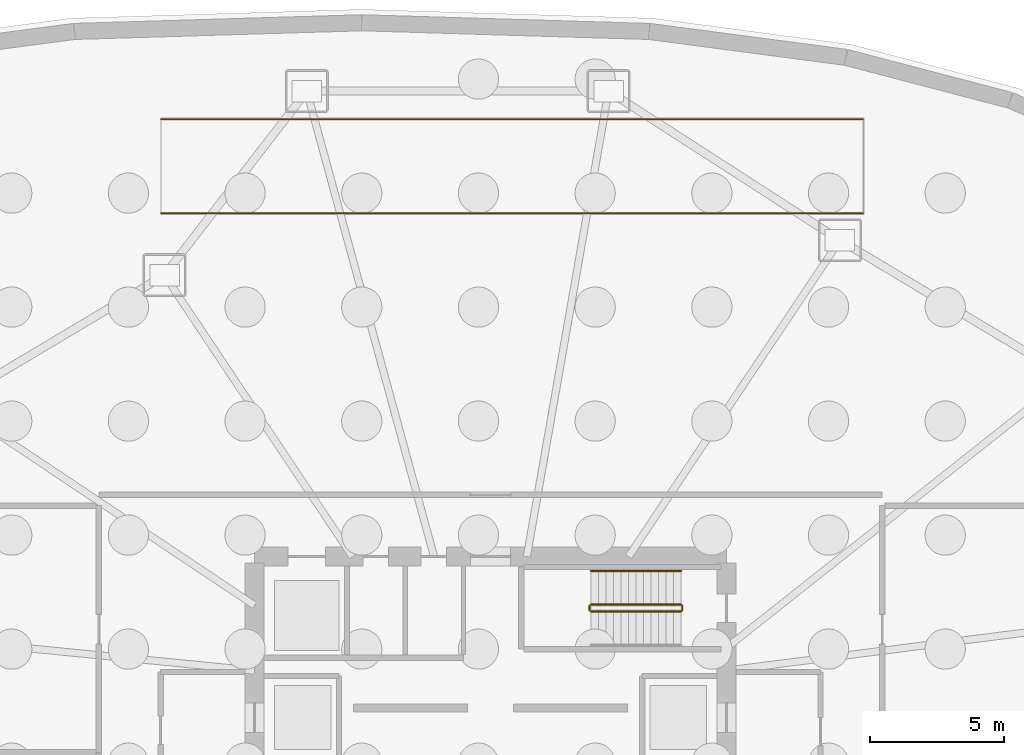
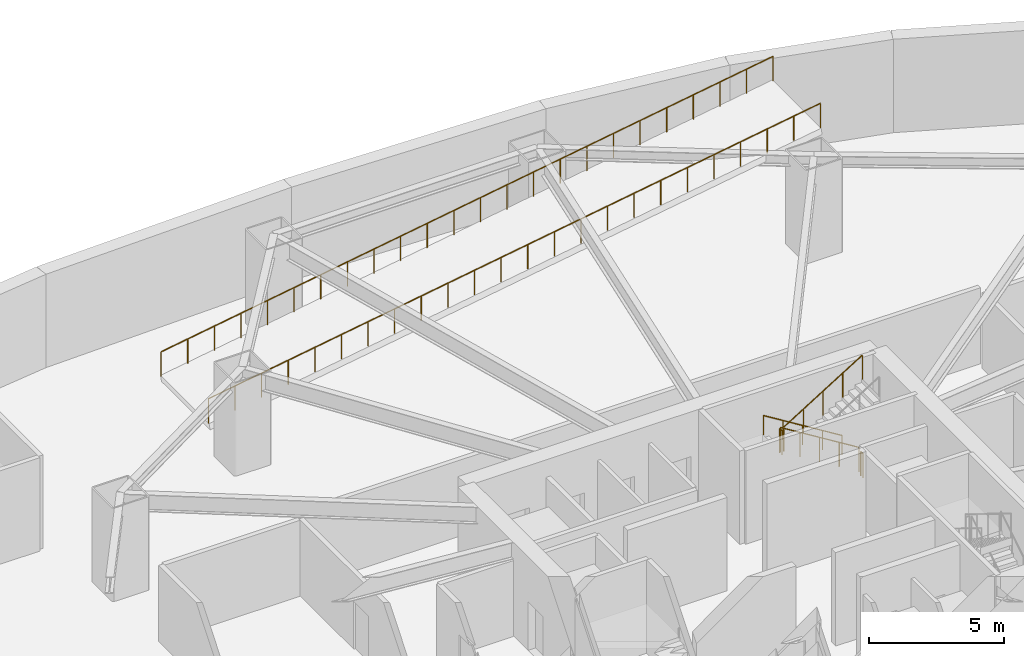
# One storey, part 9 of 10: 7 railings.
"""IFC4 building model written with IfcOpenShell, lengths in metres."""

from ifc_helpers import new_model, si_unit, direction, frame, origin, origin_2d, place, context, subcontext, project, spatial, circle, extrude, material, type_object, element, save


model = new_model("IFC4")

# Units and contexts
model_context = context("Model", 3, precision=1e-05, world=origin(), true_north=direction((0.0, 1.0)))
body_context = subcontext(model_context, "Body", "Model", "MODEL_VIEW")
ifc_project = project(units=[si_unit("LENGTHUNIT", "METRE"), si_unit("AREAUNIT", "SQUARE_METRE"), si_unit("VOLUMEUNIT", "CUBIC_METRE"), si_unit("PLANEANGLEUNIT", "RADIAN"), si_unit("MASSUNIT", "GRAM", prefix="KILO"), si_unit("THERMODYNAMICTEMPERATUREUNIT", "KELVIN")], contexts=[model_context])

# Site, building, storey
site_placement = place(None, origin())
site = spatial("IfcSite", under=ifc_project, at=site_placement, CompositionType="ELEMENT")
building_placement = place(site_placement, origin())
building = spatial("IfcBuilding", under=site, at=building_placement, Name="Kethvar Cultural Tower", CompositionType="ELEMENT")
storey_placement = place(building_placement, frame((0.0, 0.0, -9.0)))
storey = spatial("IfcBuildingStorey", under=building, at=storey_placement, Name="B02", CompositionType="ELEMENT", Elevation=-9.0)

# Railings
ifc_material = material(Name="Steel S355J2", Category="steel")
railing_type_1 = type_object("IfcRailingType", Name="RL-STAIR-GUARD", PredefinedType="BALUSTRADE", material=ifc_material)
railing_1_placement = place(storey_placement, frame((53.89990234375, 33.7099609375, 0.173095703125)))
element("IfcRailing", 1, at=railing_1_placement, inside=storey, type_object=railing_type_1, Name="B02 ST-03 stair guard 1", PredefinedType="BALUSTRADE", context=body_context, shape_type="SweptSolid", body=[
    extrude(circle(Radius=0.02392578125, at=origin_2d()), frame((0.0, 0.0, 1.09619140625), z_axis=(-0.850606129759, 0.0, 0.525803396734), x_axis=(0.0, -1.0, 0.0)), (0.0, 0.0, 1.0), 3.949951171875),
    extrude(circle(Radius=0.02099609375, at=origin_2d()), origin(), (0.0, 0.0, 1.0), 1.072021484375),
    extrude(circle(Radius=0.02099609375, at=origin_2d()), frame((-0.83984375, 0.0, 0.519287109375)), (0.0, 0.0, 1.0), 1.072021484375),
    extrude(circle(Radius=0.02099609375, at=origin_2d()), frame((-1.679931640625, 0.0, 1.03857421875)), (0.0, 0.0, 1.0), 1.072021484375),
    extrude(circle(Radius=0.02099609375, at=origin_2d()), frame((-2.52001953125, 0.0, 1.5576171875)), (0.0, 0.0, 1.0), 1.072021484375),
    extrude(circle(Radius=0.02099609375, at=origin_2d()), frame((-3.35986328125, 0.0, 2.076904296875)), (0.0, 0.0, 1.0), 1.072021484375),
])
railing_2_placement = place(storey_placement, frame((50.489990234375, 33.659912109375, 2.25)))
element("IfcRailing", 2, at=railing_2_placement, inside=storey, type_object=railing_type_1, Name="B02 ST-03 stair guard 2", PredefinedType="BALUSTRADE", context=body_context, shape_type="SweptSolid", body=[
    extrude(circle(Radius=0.02392578125, at=origin_2d()), frame((0.0, 0.0, 1.09619140625), z_axis=(0.0, -1.0, 0.0), x_axis=(1.0, 0.0, 0.0)), (0.0, 0.0, 1.0), 0.159912109375),
    extrude(circle(Radius=0.02099609375, at=origin_2d()), origin(), (0.0, 0.0, 1.0), 1.072021484375),
    extrude(circle(Radius=0.02099609375, at=origin_2d()), frame((0.0, -0.159912109375, 0.0)), (0.0, 0.0, 1.0), 1.072021484375),
])
railing_3_placement = place(storey_placement, frame((50.5400390625, 33.449951171875, 2.423095703125)))
element("IfcRailing", 3, at=railing_3_placement, inside=storey, type_object=railing_type_1, Name="B02 ST-03 stair guard 3", PredefinedType="BALUSTRADE", context=body_context, shape_type="SweptSolid", body=[
    extrude(circle(Radius=0.02392578125, at=origin_2d()), frame((0.0, 0.0, 1.09619140625), z_axis=(0.850606129759, 0.0, 0.525803396734), x_axis=(0.0, 1.0, 0.0)), (0.0, 0.0, 1.0), 3.949951171875),
    extrude(circle(Radius=0.02099609375, at=origin_2d()), origin(), (0.0, 0.0, 1.0), 1.072021484375),
    extrude(circle(Radius=0.02099609375, at=origin_2d()), frame((0.83984375, 0.0, 0.519287109375)), (0.0, 0.0, 1.0), 1.072021484375),
    extrude(circle(Radius=0.02099609375, at=origin_2d()), frame((1.679931640625, 0.0, 1.03857421875)), (0.0, 0.0, 1.0), 1.072021484375),
    extrude(circle(Radius=0.02099609375, at=origin_2d()), frame((2.52001953125, 0.0, 1.5576171875)), (0.0, 0.0, 1.0), 1.072021484375),
    extrude(circle(Radius=0.02099609375, at=origin_2d()), frame((3.35986328125, 0.0, 2.076904296875)), (0.0, 0.0, 1.0), 1.072021484375),
])
railing_4_placement = place(storey_placement, frame((53.949951171875, 33.659912109375, 0.0)))
element("IfcRailing", 4, at=railing_4_placement, inside=storey, type_object=railing_type_1, Name="B02 ST-03 stair guard 4", PredefinedType="BALUSTRADE", context=body_context, shape_type="SweptSolid", body=[
    extrude(circle(Radius=0.02392578125, at=origin_2d()), frame((0.0, 0.0, 1.09619140625), z_axis=(0.0, -1.0, 0.0), x_axis=(1.0, 0.0, 0.0)), (0.0, 0.0, 1.0), 0.159912109375),
    extrude(circle(Radius=0.02099609375, at=origin_2d()), origin(), (0.0, 0.0, 1.0), 1.072021484375),
    extrude(circle(Radius=0.02099609375, at=origin_2d()), frame((0.0, -0.159912109375, 0.0)), (0.0, 0.0, 1.0), 1.072021484375),
])
railing_5_placement = place(storey_placement, frame((34.52001953125, 48.300048828125, 0.304931640625)))
element("IfcRailing", 5, at=railing_5_placement, inside=storey, type_object=railing_type_1, Name="Basement B02 to B01 Vehicle Ramp Slab Guard S", PredefinedType="BALUSTRADE", context=body_context, shape_type="SweptSolid", body=[
    extrude(circle(Radius=0.02392578125, at=origin_2d()), frame((0.0, 0.0, 1.09619140625), z_axis=(0.987384734628, 0.0, 0.158339463888), x_axis=(0.0, 1.0, 0.0)), (0.0, 0.0, 1.0), 26.494140625),
    extrude(circle(Radius=0.02099609375, at=origin_2d()), origin(), (0.0, 0.0, 1.0), 1.072021484375),
    extrude(circle(Radius=0.02099609375, at=origin_2d()), frame((1.137451171875, 0.0, 0.182373046875)), (0.0, 0.0, 1.0), 1.072021484375),
    extrude(circle(Radius=0.02099609375, at=origin_2d()), frame((2.274658203125, 0.0, 0.36474609375)), (0.0, 0.0, 1.0), 1.072021484375),
    extrude(circle(Radius=0.02099609375, at=origin_2d()), frame((3.412109375, 0.0, 0.547119140625)), (0.0, 0.0, 1.0), 1.072021484375),
    extrude(circle(Radius=0.02099609375, at=origin_2d()), frame((4.549560546875, 0.0, 0.7294921875)), (0.0, 0.0, 1.0), 1.072021484375),
    extrude(circle(Radius=0.02099609375, at=origin_2d()), frame((5.68701171875, 0.0, 0.911865234375)), (0.0, 0.0, 1.0), 1.072021484375),
    extrude(circle(Radius=0.02099609375, at=origin_2d()), frame((6.82421875, 0.0, 1.094482421875)), (0.0, 0.0, 1.0), 1.072021484375),
    extrude(circle(Radius=0.02099609375, at=origin_2d()), frame((7.961669921875, 0.0, 1.27685546875)), (0.0, 0.0, 1.0), 1.072021484375),
    extrude(circle(Radius=0.02099609375, at=origin_2d()), frame((9.09912109375, 0.0, 1.459228515625)), (0.0, 0.0, 1.0), 1.072021484375),
    extrude(circle(Radius=0.02099609375, at=origin_2d()), frame((10.236572265625, 0.0, 1.6416015625)), (0.0, 0.0, 1.0), 1.072021484375),
    extrude(circle(Radius=0.02099609375, at=origin_2d()), frame((11.373779296875, 0.0, 1.823974609375)), (0.0, 0.0, 1.0), 1.072021484375),
    extrude(circle(Radius=0.02099609375, at=origin_2d()), frame((12.51123046875, 0.0, 2.00634765625)), (0.0, 0.0, 1.0), 1.072021484375),
    extrude(circle(Radius=0.02099609375, at=origin_2d()), frame((13.648681640625, 0.0, 2.188720703125)), (0.0, 0.0, 1.0), 1.072021484375),
    extrude(circle(Radius=0.02099609375, at=origin_2d()), frame((14.7861328125, 0.0, 2.37109375)), (0.0, 0.0, 1.0), 1.072021484375),
    extrude(circle(Radius=0.02099609375, at=origin_2d()), frame((15.92333984375, 0.0, 2.553466796875)), (0.0, 0.0, 1.0), 1.072021484375),
    extrude(circle(Radius=0.02099609375, at=origin_2d()), frame((17.060791015625, 0.0, 2.73583984375)), (0.0, 0.0, 1.0), 1.072021484375),
    extrude(circle(Radius=0.02099609375, at=origin_2d()), frame((18.1982421875, 0.0, 2.918212890625)), (0.0, 0.0, 1.0), 1.072021484375),
    extrude(circle(Radius=0.02099609375, at=origin_2d()), frame((19.335693359375, 0.0, 3.1005859375)), (0.0, 0.0, 1.0), 1.072021484375),
    extrude(circle(Radius=0.02099609375, at=origin_2d()), frame((20.472900390625, 0.0, 3.283203125)), (0.0, 0.0, 1.0), 1.072021484375),
    extrude(circle(Radius=0.02099609375, at=origin_2d()), frame((21.6103515625, 0.0, 3.465576171875)), (0.0, 0.0, 1.0), 1.072021484375),
    extrude(circle(Radius=0.02099609375, at=origin_2d()), frame((22.747802734375, 0.0, 3.64794921875)), (0.0, 0.0, 1.0), 1.072021484375),
    extrude(circle(Radius=0.02099609375, at=origin_2d()), frame((23.88525390625, 0.0, 3.830322265625)), (0.0, 0.0, 1.0), 1.072021484375),
    extrude(circle(Radius=0.02099609375, at=origin_2d()), frame((25.0224609375, 0.0, 4.0126953125)), (0.0, 0.0, 1.0), 1.072021484375),
    extrude(circle(Radius=0.02099609375, at=origin_2d()), frame((26.159912109375, 0.0, 4.195068359375)), (0.0, 0.0, 1.0), 1.072021484375),
])
railing_6_placement = place(storey_placement, frame((34.52001953125, 51.800048828125, 0.304931640625)))
element("IfcRailing", 6, at=railing_6_placement, inside=storey, type_object=railing_type_1, Name="Basement B02 to B01 Vehicle Ramp Slab Guard N", PredefinedType="BALUSTRADE", context=body_context, shape_type="SweptSolid", body=[
    extrude(circle(Radius=0.02392578125, at=origin_2d()), frame((0.0, 0.0, 1.09619140625), z_axis=(0.987384734628, 0.0, 0.158339463888), x_axis=(0.0, 1.0, 0.0)), (0.0, 0.0, 1.0), 26.494140625),
    extrude(circle(Radius=0.02099609375, at=origin_2d()), origin(), (0.0, 0.0, 1.0), 1.072021484375),
    extrude(circle(Radius=0.02099609375, at=origin_2d()), frame((1.137451171875, 0.0, 0.182373046875)), (0.0, 0.0, 1.0), 1.072021484375),
    extrude(circle(Radius=0.02099609375, at=origin_2d()), frame((2.274658203125, 0.0, 0.36474609375)), (0.0, 0.0, 1.0), 1.072021484375),
    extrude(circle(Radius=0.02099609375, at=origin_2d()), frame((3.412109375, 0.0, 0.547119140625)), (0.0, 0.0, 1.0), 1.072021484375),
    extrude(circle(Radius=0.02099609375, at=origin_2d()), frame((4.549560546875, 0.0, 0.7294921875)), (0.0, 0.0, 1.0), 1.072021484375),
    extrude(circle(Radius=0.02099609375, at=origin_2d()), frame((5.68701171875, 0.0, 0.911865234375)), (0.0, 0.0, 1.0), 1.072021484375),
    extrude(circle(Radius=0.02099609375, at=origin_2d()), frame((6.82421875, 0.0, 1.094482421875)), (0.0, 0.0, 1.0), 1.072021484375),
    extrude(circle(Radius=0.02099609375, at=origin_2d()), frame((7.961669921875, 0.0, 1.27685546875)), (0.0, 0.0, 1.0), 1.072021484375),
    extrude(circle(Radius=0.02099609375, at=origin_2d()), frame((9.09912109375, 0.0, 1.459228515625)), (0.0, 0.0, 1.0), 1.072021484375),
    extrude(circle(Radius=0.02099609375, at=origin_2d()), frame((10.236572265625, 0.0, 1.6416015625)), (0.0, 0.0, 1.0), 1.072021484375),
    extrude(circle(Radius=0.02099609375, at=origin_2d()), frame((11.373779296875, 0.0, 1.823974609375)), (0.0, 0.0, 1.0), 1.072021484375),
    extrude(circle(Radius=0.02099609375, at=origin_2d()), frame((12.51123046875, 0.0, 2.00634765625)), (0.0, 0.0, 1.0), 1.072021484375),
    extrude(circle(Radius=0.02099609375, at=origin_2d()), frame((13.648681640625, 0.0, 2.188720703125)), (0.0, 0.0, 1.0), 1.072021484375),
    extrude(circle(Radius=0.02099609375, at=origin_2d()), frame((14.7861328125, 0.0, 2.37109375)), (0.0, 0.0, 1.0), 1.072021484375),
    extrude(circle(Radius=0.02099609375, at=origin_2d()), frame((15.92333984375, 0.0, 2.553466796875)), (0.0, 0.0, 1.0), 1.072021484375),
    extrude(circle(Radius=0.02099609375, at=origin_2d()), frame((17.060791015625, 0.0, 2.73583984375)), (0.0, 0.0, 1.0), 1.072021484375),
    extrude(circle(Radius=0.02099609375, at=origin_2d()), frame((18.1982421875, 0.0, 2.918212890625)), (0.0, 0.0, 1.0), 1.072021484375),
    extrude(circle(Radius=0.02099609375, at=origin_2d()), frame((19.335693359375, 0.0, 3.1005859375)), (0.0, 0.0, 1.0), 1.072021484375),
    extrude(circle(Radius=0.02099609375, at=origin_2d()), frame((20.472900390625, 0.0, 3.283203125)), (0.0, 0.0, 1.0), 1.072021484375),
    extrude(circle(Radius=0.02099609375, at=origin_2d()), frame((21.6103515625, 0.0, 3.465576171875)), (0.0, 0.0, 1.0), 1.072021484375),
    extrude(circle(Radius=0.02099609375, at=origin_2d()), frame((22.747802734375, 0.0, 3.64794921875)), (0.0, 0.0, 1.0), 1.072021484375),
    extrude(circle(Radius=0.02099609375, at=origin_2d()), frame((23.88525390625, 0.0, 3.830322265625)), (0.0, 0.0, 1.0), 1.072021484375),
    extrude(circle(Radius=0.02099609375, at=origin_2d()), frame((25.0224609375, 0.0, 4.0126953125)), (0.0, 0.0, 1.0), 1.072021484375),
    extrude(circle(Radius=0.02099609375, at=origin_2d()), frame((26.159912109375, 0.0, 4.195068359375)), (0.0, 0.0, 1.0), 1.072021484375),
])
railing_type_2 = type_object("IfcRailingType", Name="RL-STAIR-HANDRAIL", PredefinedType="HANDRAIL", material=ifc_material)
railing_7_placement = place(storey_placement, frame((53.89990234375, 34.9599609375, 0.173095703125)))
element("IfcRailing", 7, at=railing_7_placement, inside=storey, type_object=railing_type_2, Name="B02 ST-03 stair handrail 1", PredefinedType="HANDRAIL", context=body_context, shape_type="SweptSolid", body=[
    extrude(circle(Radius=0.02392578125, at=origin_2d()), frame((0.0, 0.0, 0.8759765625), z_axis=(-0.850606129759, 0.0, 0.525803396734), x_axis=(0.0, -1.0, 0.0)), (0.0, 0.0, 1.0), 3.949951171875),
    extrude(circle(Radius=0.02099609375, at=origin_2d()), origin(), (0.0, 0.0, 1.0), 0.851806640625),
    extrude(circle(Radius=0.02099609375, at=origin_2d()), frame((-0.83984375, 0.0, 0.519287109375)), (0.0, 0.0, 1.0), 0.851806640625),
    extrude(circle(Radius=0.02099609375, at=origin_2d()), frame((-1.679931640625, 0.0, 1.03857421875)), (0.0, 0.0, 1.0), 0.851806640625),
    extrude(circle(Radius=0.02099609375, at=origin_2d()), frame((-2.52001953125, 0.0, 1.5576171875)), (0.0, 0.0, 1.0), 0.851806640625),
    extrude(circle(Radius=0.02099609375, at=origin_2d()), frame((-3.35986328125, 0.0, 2.076904296875)), (0.0, 0.0, 1.0), 0.851806640625),
])

save(model, "model.ifc")
